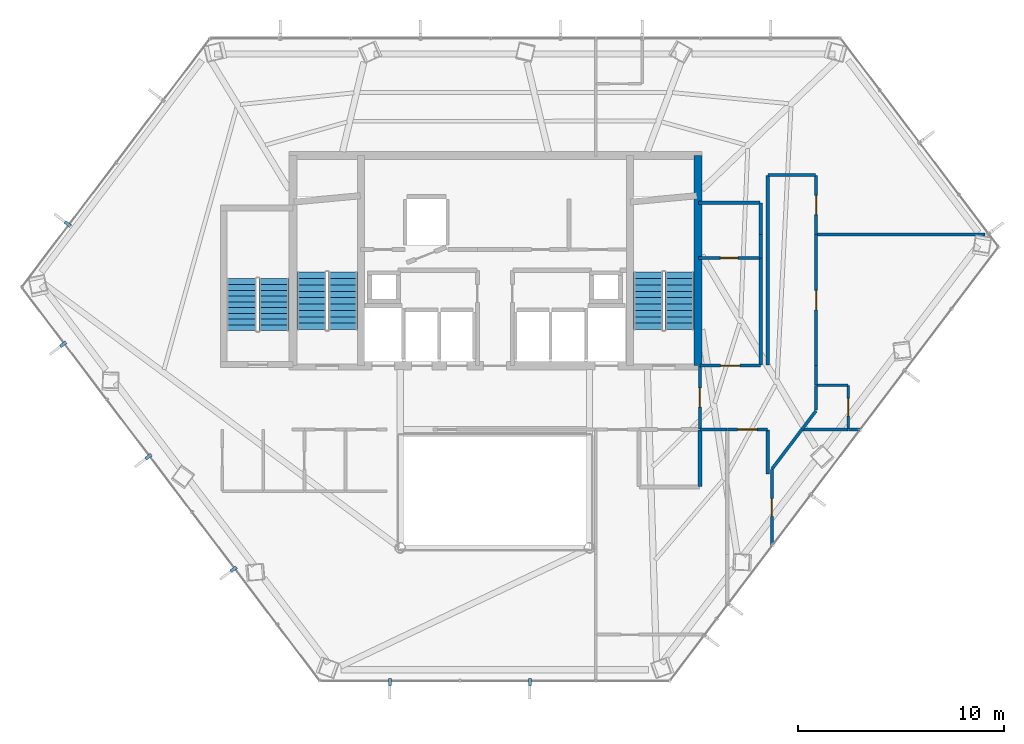
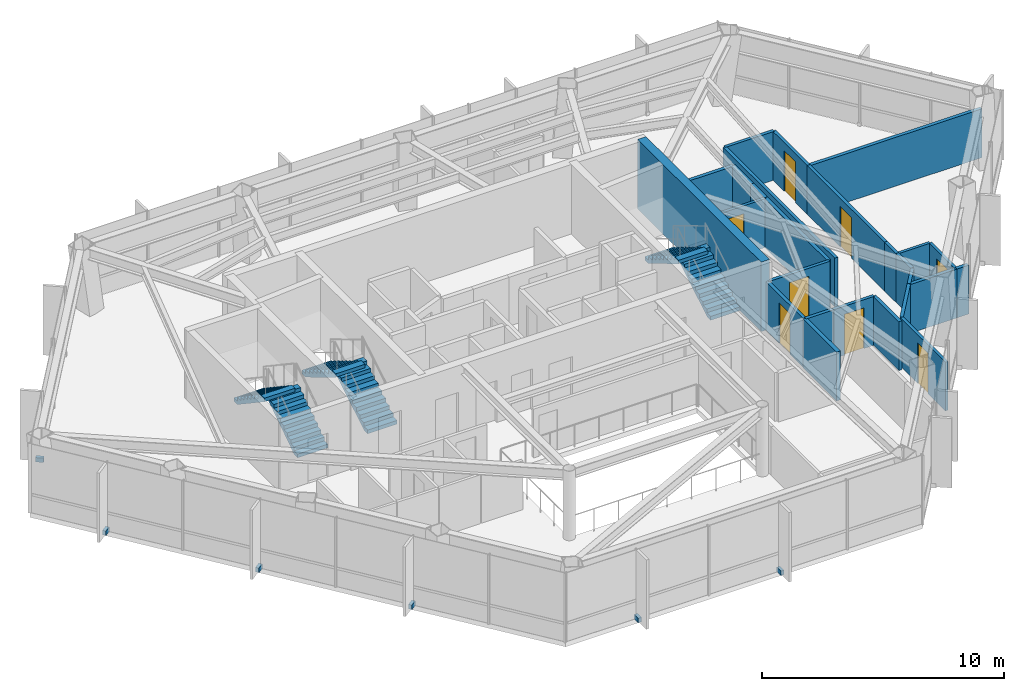
# One storey, part 27 of 29: 26 walls, 8 doors, 6 discrete accessories, 6 stair flights, 8 openings, 3 elements without a shape of their own.
"""IFC4 building model written with IfcOpenShell, lengths in metres."""

from ifc_helpers import new_model, si_unit, direction, frame, frame_2d, origin, origin_2d, place, context, subcontext, project, spatial, polyline, rectangle, outline, extrude, material, layer, layer_set, type_object, element, fill, aggregate, save


model = new_model("IFC4")

# Units and contexts
model_context = context("Model", 3, precision=1e-05, world=origin(), true_north=direction((0.0, 1.0)))
body_context = subcontext(model_context, "Body", "Model", "MODEL_VIEW")
ifc_project = project(units=[si_unit("LENGTHUNIT", "METRE"), si_unit("AREAUNIT", "SQUARE_METRE"), si_unit("VOLUMEUNIT", "CUBIC_METRE"), si_unit("PLANEANGLEUNIT", "RADIAN"), si_unit("MASSUNIT", "GRAM", prefix="KILO")], contexts=[model_context])

# Site, building, storey
site_placement = place(None, origin())
site = spatial("IfcSite", under=ifc_project, at=site_placement, CompositionType="ELEMENT")
building_placement = place(site_placement, origin())
building = spatial("IfcBuilding", under=site, at=building_placement, Name="Zarrinselat Tower", CompositionType="ELEMENT")
storey_placement = place(building_placement, frame((0.0, 0.0, 142.1201171875)))
storey = spatial("IfcBuildingStorey", under=building, at=storey_placement, Name="L34", CompositionType="ELEMENT", Elevation=142.1201171875)

# Walls
ifc_material_1 = material(Name="Fire-Rated Gypsum Board Partition", Category="gypsum")
ifc_layer_1 = layer(ifc_material_1, 0.1650390625)
ifc_layer_set_1 = layer_set([ifc_layer_1], Name="Fire-Rated Gypsum Board Partition")
wall_type_1 = type_object("IfcWallType", Name="WAL-PART-DEMISE", PredefinedType="PARTITIONING", material=ifc_layer_set_1)
wall_1_placement = place(storey_placement, frame((55.562255859375, 30.14990234375, 0.0), z_axis=(0.0, 0.0, 1.0), x_axis=(1.0, 0.0, 0.0)))
element("IfcWall", 1, at=wall_1_placement, inside=storey, type_object=wall_type_1, Name="L34 Partition Wall 51", PredefinedType="PARTITIONING", context=body_context, shape_type="SweptSolid", body=[
    extrude(rectangle(XDim=0.565185546875, YDim=0.1650390625, at=frame_2d((0.28271484375, 0.0))), origin(), (0.0, 0.0, 1.0), 2.456787109375),
])
wall_2_placement = place(storey_placement, frame((53.3271484375, 30.14990234375, 0.0), z_axis=(0.0, 0.0, 1.0), x_axis=(1.0, 0.0, 0.0)))
element("IfcWall", 2, at=wall_2_placement, inside=storey, type_object=wall_type_1, Name="L34 Partition Wall 52", PredefinedType="PARTITIONING", context=body_context, shape_type="SweptSolid", body=[
    extrude(rectangle(XDim=2.22509765625, YDim=0.1650390625, at=frame_2d((1.112548828125, 0.0))), origin(), (0.0, 0.0, 1.0), 2.456787109375),
])
wall_3_placement = place(storey_placement, frame((54.02001953125, 39.6201171875, 0.0), z_axis=(0.0, 0.0, 1.0), x_axis=(1.0, 0.0, 0.0)))
element("IfcWall", 3, at=wall_3_placement, inside=storey, type_object=wall_type_1, Name="L34 Partition Wall 55", PredefinedType="PARTITIONING", context=body_context, shape_type="SweptSolid", body=[
    extrude(rectangle(XDim=8.190673828125, YDim=0.1650390625, at=frame_2d((4.09521484375, 0.0))), origin(), (0.0, 0.0, 1.0), 2.456787109375),
])
wall_4_placement = place(storey_placement, frame((51.300048828125, 33.27001953125, 0.0), z_axis=(0.0, 0.0, 1.0), x_axis=(0.0, 1.0, 0.0)))
element("IfcWall", 4, at=wall_4_placement, inside=storey, type_object=wall_type_1, Name="L34 Partition Wall 58", PredefinedType="PARTITIONING", context=body_context, shape_type="SweptSolid", body=[
    extrude(rectangle(XDim=5.2021484375, YDim=0.1650390625, at=frame_2d((2.60107421875, 0.0))), origin(), (0.0, 0.0, 1.0), 2.456787109375),
])
wall_5_placement = place(storey_placement, frame((51.300048828125, 38.482177734375, 0.0), z_axis=(0.0, 0.0, 1.0), x_axis=(0.0, 1.0, 0.0)))
element("IfcWall", 5, at=wall_5_placement, inside=storey, type_object=wall_type_1, Name="L34 Partition Wall 59", PredefinedType="PARTITIONING", context=body_context, shape_type="SweptSolid", body=[
    extrude(rectangle(XDim=1.137939453125, YDim=0.1650390625, at=frame_2d((0.56884765625, 0.0))), origin(), (0.0, 0.0, 1.0), 2.456787109375),
])
wall_6_placement = place(storey_placement, frame((51.300048828125, 39.6201171875, 0.0), z_axis=(0.0, 0.0, 1.0), x_axis=(0.0, 1.0, 0.0)))
element("IfcWall", 6, at=wall_6_placement, inside=storey, type_object=wall_type_1, Name="L34 Partition Wall 60", PredefinedType="PARTITIONING", context=body_context, shape_type="SweptSolid", body=[
    extrude(rectangle(XDim=1.52978515625, YDim=0.1650390625, at=frame_2d((0.764892578125, 0.0))), origin(), (0.0, 0.0, 1.0), 2.456787109375),
])
wall_7_placement = place(storey_placement, frame((48.27490234375, 41.169921875, 0.0), z_axis=(0.0, 0.0, 1.0), x_axis=(1.0, 0.0, 0.0)))
element("IfcWall", 7, at=wall_7_placement, inside=storey, type_object=wall_type_1, Name="L34 Partition Wall 61", PredefinedType="PARTITIONING", context=body_context, shape_type="SweptSolid", body=[
    extrude(rectangle(XDim=3.005126953125, YDim=0.1650390625, at=frame_2d((1.50244140625, 0.0))), origin(), (0.0, 0.0, 1.0), 2.456787109375),
])
ifc_material_2 = material(Name="Concrete C40/50", Category="concrete")
ifc_layer_2 = layer(ifc_material_2, 0.18994140625)
ifc_layer_set_2 = layer_set([ifc_layer_2], Name="Concrete C40/50")
wall_type_2 = type_object("IfcWallType", Name="WAL-PART-EI120", PredefinedType="PARTITIONING", material=ifc_layer_set_2)
wall_8_placement = place(storey_placement, frame((48.35009765625, 27.3701171875, 0.0), z_axis=(0.0, 0.0, 1.0), x_axis=(0.0, 1.0, 0.0)))
element("IfcWall", 8, at=wall_8_placement, inside=storey, type_object=wall_type_2, Name="L34 Partition Wall 21", PredefinedType="PARTITIONING", context=body_context, shape_type="SweptSolid", body=[
    extrude(rectangle(XDim=2.759765625, YDim=0.18994140625, at=frame_2d((1.3798828125, 0.0))), origin(), (0.0, 0.0, 1.0), 2.456787109375),
])

# Wall, opening, door
ifc_material_3 = material(Name="Fire-Rated Gypsum Board Partition", Category="gypsum")
ifc_layer_3 = layer(ifc_material_3, 0.14990234375)
ifc_layer_set_3 = layer_set([ifc_layer_3], Name="Fire-Rated Gypsum Board Partition")
wall_type_3 = type_object("IfcWallType", Name="WAL-PART-EI60", PredefinedType="PARTITIONING", material=ifc_layer_set_3)
wall_9_placement = place(storey_placement, frame((48.35009765625, 30.169921875, 0.0), z_axis=(0.0, 0.0, 1.0), x_axis=(0.0, 1.0, 0.0)))
wall_9 = element("IfcWall", 9, at=wall_9_placement, inside=storey, type_object=wall_type_3, Name="L34 Partition Wall 13", PredefinedType="PARTITIONING", context=body_context, shape_type="SweptSolid", body=[
    extrude(rectangle(XDim=3.06005859375, YDim=0.14990234375, at=frame_2d((1.530029296875, 0.0))), origin(), (0.0, 0.0, 1.0), 2.456787109375),
])
opening_1_placement = place(wall_9_placement, frame((1.06005859375, 0.0, 0.0)))
opening_1 = element("IfcOpeningElement", 10, at=opening_1_placement, cuts=wall_9, Name="Opening ID-04", PredefinedType="OPENING", context=body_context, shape_type="SweptSolid", body=[
    extrude(rectangle(XDim=0.93994140625, YDim=2.050048828125, at=frame_2d((0.469970703125, 1.02490234375))), frame((0.0, 0.0849609375, 0.0), z_axis=(0.0, -1.0, 0.0), x_axis=(1.0, 0.0, 0.0)), (0.0, 0.0, 1.0), 0.169921875),
])
ifc_material_4 = material(Name="Fire-Rated Gypsum Board Partition")
door_type_1 = type_object("IfcDoorType", Name="DR-INT-FD30-ENT", OperationType="NOTDEFINED", PredefinedType="DOOR", material=ifc_material_4)
door_1_placement = place(opening_1_placement, origin())
door_1 = element("IfcDoor", 11, at=door_1_placement, inside=storey, type_object=door_type_1, Name="L34 Interior Door P13", OperationType="SINGLE_SWING_LEFT", OverallHeight=2.050048828125, OverallWidth=0.93994140625, PredefinedType="DOOR", context=body_context, shape_type="SweptSolid", body=[
    extrude(rectangle(XDim=0.93994140625, YDim=2.050048828125, at=frame_2d((0.469970703125, 1.02490234375))), frame((0.0, 0.02490234375, 0.0), z_axis=(0.0, -1.0, 0.0), x_axis=(1.0, 0.0, 0.0)), (0.0, 0.0, 1.0), 0.050048828125),
])
fill(opening_1, door_1)

# Walls
wall_10_placement = place(storey_placement, frame((48.3701171875, 30.14990234375, 0.0), z_axis=(0.0, 0.0, 1.0), x_axis=(1.0, 0.0, 0.0)))
element("IfcWall", 12, at=wall_10_placement, inside=storey, type_object=wall_type_3, Name="L34 Partition Wall 22", PredefinedType="PARTITIONING", context=body_context, shape_type="SweptSolid", body=[
    extrude(rectangle(XDim=1.30859375, YDim=0.14990234375, at=frame_2d((0.654296875, 0.0))), origin(), (0.0, 0.0, 1.0), 2.456787109375),
])
wall_11_placement = place(storey_placement, frame((51.64990234375, 27.982421875, 0.0), z_axis=(0.0, 0.0, 1.0), x_axis=(0.0, 1.0, 0.0)))
element("IfcWall", 13, at=wall_11_placement, inside=storey, type_object=wall_type_3, Name="L34 Partition Wall 23", PredefinedType="PARTITIONING", context=body_context, shape_type="SweptSolid", body=[
    extrude(rectangle(XDim=2.1474609375, YDim=0.14990234375, at=frame_2d((1.07373046875, 0.0))), origin(), (0.0, 0.0, 1.0), 2.456787109375),
])

# Wall, opening, door
wall_12_placement = place(storey_placement, frame((49.688720703125, 30.14990234375, 0.0), z_axis=(0.0, 0.0, 1.0), x_axis=(1.0, 0.0, 0.0)))
wall_12 = element("IfcWall", 14, at=wall_12_placement, inside=storey, type_object=wall_type_3, Name="L34 Partition Wall 24", PredefinedType="PARTITIONING", context=body_context, shape_type="SweptSolid", body=[
    extrude(rectangle(XDim=1.941162109375, YDim=0.14990234375, at=frame_2d((0.970703125, 0.0))), origin(), (0.0, 0.0, 1.0), 2.456787109375),
])
opening_2_placement = place(wall_12_placement, frame((0.500732421875, 0.0, 0.0)))
opening_2 = element("IfcOpeningElement", 15, at=opening_2_placement, cuts=wall_12, Name="Opening ID-04", PredefinedType="OPENING", context=body_context, shape_type="SweptSolid", body=[
    extrude(rectangle(XDim=0.93994140625, YDim=2.050048828125, at=frame_2d((0.469970703125, 1.02490234375))), frame((0.0, 0.0849609375, 0.0), z_axis=(0.0, -1.0, 0.0), x_axis=(1.0, 0.0, 0.0)), (0.0, 0.0, 1.0), 0.169921875),
])
door_2_placement = place(opening_2_placement, origin())
door_2 = element("IfcDoor", 16, at=door_2_placement, inside=storey, type_object=door_type_1, Name="L34 Interior Door P24", OperationType="SINGLE_SWING_RIGHT", OverallHeight=2.050048828125, OverallWidth=0.93994140625, PredefinedType="DOOR", context=body_context, shape_type="SweptSolid", body=[
    extrude(rectangle(XDim=0.93994140625, YDim=2.050048828125, at=frame_2d((0.469970703125, 1.02490234375))), frame((0.0, 0.02490234375, 0.0), z_axis=(0.0, -1.0, 0.0), x_axis=(1.0, 0.0, 0.0)), (0.0, 0.0, 1.0), 0.050048828125),
])
fill(opening_2, door_2)

# Wall
wall_13_placement = place(storey_placement, frame((51.85107421875, 28.227783203125, 0.0), z_axis=(0.0, 0.0, 1.0), x_axis=(0.60378553019, 0.797146808018, 0.0)))
element("IfcWall", 17, at=wall_13_placement, inside=storey, type_object=wall_type_3, Name="L34 Partition Wall 25", PredefinedType="PARTITIONING", context=body_context, shape_type="SweptSolid", body=[
    extrude(rectangle(XDim=2.410400390625, YDim=0.14990234375, at=frame_2d((1.205078125, 0.0))), origin(), (0.0, 0.0, 1.0), 2.456787109375),
])

# Wall, opening, door
wall_14_placement = place(storey_placement, frame((54.0, 33.25, 0.0), z_axis=(0.0, 0.0, 1.0), x_axis=(0.0, 1.0, 0.0)))
wall_14 = element("IfcWall", 18, at=wall_14_placement, inside=storey, type_object=wall_type_3, Name="L34 Partition Wall 26", PredefinedType="PARTITIONING", context=body_context, shape_type="SweptSolid", body=[
    extrude(rectangle(XDim=6.364990234375, YDim=0.14990234375, at=frame_2d((3.1826171875, 0.0))), origin(), (0.0, 0.0, 1.0), 2.456787109375),
])
opening_3_placement = place(wall_14_placement, frame((2.71240234375, 0.0, 0.0)))
opening_3 = element("IfcOpeningElement", 19, at=opening_3_placement, cuts=wall_14, Name="Opening ID-04", PredefinedType="OPENING", context=body_context, shape_type="SweptSolid", body=[
    extrude(rectangle(XDim=0.93994140625, YDim=2.050048828125, at=frame_2d((0.469970703125, 1.02490234375))), frame((0.0, 0.0849609375, 0.0), z_axis=(0.0, -1.0, 0.0), x_axis=(1.0, 0.0, 0.0)), (0.0, 0.0, 1.0), 0.169921875),
])
door_3_placement = place(opening_3_placement, origin())
door_3 = element("IfcDoor", 20, at=door_3_placement, inside=storey, type_object=door_type_1, Name="L34 Interior Door P26", OperationType="SINGLE_SWING_LEFT", OverallHeight=2.050048828125, OverallWidth=0.93994140625, PredefinedType="DOOR", context=body_context, shape_type="SweptSolid", body=[
    extrude(rectangle(XDim=0.93994140625, YDim=2.050048828125, at=frame_2d((0.469970703125, 1.02490234375))), frame((0.0, 0.02490234375, 0.0), z_axis=(0.0, -1.0, 0.0), x_axis=(1.0, 0.0, 0.0)), (0.0, 0.0, 1.0), 0.050048828125),
])
fill(opening_3, door_3)

# Walls
wall_15_placement = place(storey_placement, frame((54.0, 32.304931640625, 0.0), z_axis=(0.0, 0.0, 1.0), x_axis=(0.0, 1.0, 0.0)))
element("IfcWall", 21, at=wall_15_placement, inside=storey, type_object=wall_type_3, Name="L34 Partition Wall 27", PredefinedType="PARTITIONING", context=body_context, shape_type="SweptSolid", body=[
    extrude(rectangle(XDim=0.945068359375, YDim=0.14990234375, at=frame_2d((0.47265625, 0.0))), origin(), (0.0, 0.0, 1.0), 2.456787109375),
])
wall_16_placement = place(storey_placement, frame((54.0, 31.084716796875, 0.0), z_axis=(0.0, 0.0, 1.0), x_axis=(0.0, 1.0, 0.0)))
element("IfcWall", 22, at=wall_16_placement, inside=storey, type_object=wall_type_3, Name="L34 Partition Wall 28", PredefinedType="PARTITIONING", context=body_context, shape_type="SweptSolid", body=[
    extrude(rectangle(XDim=1.210205078125, YDim=0.14990234375, at=frame_2d((0.60498046875, 0.0))), origin(), (0.0, 0.0, 1.0), 2.456787109375),
])
wall_17_placement = place(storey_placement, frame((53.310302734375, 30.154052734375, 0.0), z_axis=(0.0, 0.0, 1.0), x_axis=(0.603752960425, 0.797171476395, 0.0)))
element("IfcWall", 23, at=wall_17_placement, inside=storey, type_object=wall_type_3, Name="L34 Partition Wall 29", PredefinedType="PARTITIONING", context=body_context, shape_type="SweptSolid", body=[
    extrude(rectangle(XDim=1.1220703125, YDim=0.14990234375, at=frame_2d((0.56103515625, 0.0))), origin(), (0.0, 0.0, 1.0), 2.456787109375),
])
wall_18_placement = place(storey_placement, frame((51.64990234375, 33.27001953125, 0.0), z_axis=(0.0, 0.0, 1.0), x_axis=(0.0, 1.0, 0.0)))
element("IfcWall", 24, at=wall_18_placement, inside=storey, type_object=wall_type_3, Name="L34 Partition Wall 30", PredefinedType="PARTITIONING", context=body_context, shape_type="SweptSolid", body=[
    extrude(rectangle(XDim=9.2099609375, YDim=0.14990234375, at=frame_2d((4.60498046875, 0.0))), origin(), (0.0, 0.0, 1.0), 2.456787109375),
])
wall_19_placement = place(storey_placement, frame((51.669921875, 42.5, 0.0), z_axis=(0.0, 0.0, 1.0), x_axis=(1.0, 0.0, 0.0)))
element("IfcWall", 25, at=wall_19_placement, inside=storey, type_object=wall_type_3, Name="L34 Partition Wall 31", PredefinedType="PARTITIONING", context=body_context, shape_type="SweptSolid", body=[
    extrude(rectangle(XDim=2.31005859375, YDim=0.14990234375, at=frame_2d((1.155029296875, 0.0))), origin(), (0.0, 0.0, 1.0), 2.456787109375),
])

# Wall, opening, door
wall_20_placement = place(storey_placement, frame((54.0, 39.625, 0.0), z_axis=(0.0, 0.0, 1.0), x_axis=(0.0, 1.0, 0.0)))
wall_20 = element("IfcWall", 26, at=wall_20_placement, inside=storey, type_object=wall_type_3, Name="L34 Partition Wall 32", PredefinedType="PARTITIONING", context=body_context, shape_type="SweptSolid", body=[
    extrude(rectangle(XDim=2.85498046875, YDim=0.14990234375, at=frame_2d((1.427490234375, 0.0))), origin(), (0.0, 0.0, 1.0), 2.456787109375),
])
opening_4_placement = place(wall_20_placement, frame((0.95751953125, 0.0, 0.0)))
opening_4 = element("IfcOpeningElement", 27, at=opening_4_placement, cuts=wall_20, Name="Opening ID-04", PredefinedType="OPENING", context=body_context, shape_type="SweptSolid", body=[
    extrude(rectangle(XDim=0.93994140625, YDim=2.050048828125, at=frame_2d((0.469970703125, 1.02490234375))), frame((0.0, 0.0849609375, 0.0), z_axis=(0.0, -1.0, 0.0), x_axis=(1.0, 0.0, 0.0)), (0.0, 0.0, 1.0), 0.169921875),
])
door_4_placement = place(opening_4_placement, origin())
door_4 = element("IfcDoor", 28, at=door_4_placement, inside=storey, type_object=door_type_1, Name="L34 Interior Door P32", OperationType="SINGLE_SWING_RIGHT", OverallHeight=2.050048828125, OverallWidth=0.93994140625, PredefinedType="DOOR", context=body_context, shape_type="SweptSolid", body=[
    extrude(rectangle(XDim=0.93994140625, YDim=2.050048828125, at=frame_2d((0.469970703125, 1.02490234375))), frame((0.0, 0.02490234375, 0.0), z_axis=(0.0, -1.0, 0.0), x_axis=(1.0, 0.0, 0.0)), (0.0, 0.0, 1.0), 0.050048828125),
])
fill(opening_4, door_4)

wall_21_placement = place(storey_placement, frame((48.364990234375, 33.25, 0.0), z_axis=(0.0, 0.0, 1.0), x_axis=(1.0, 0.0, 0.0)))
wall_21 = element("IfcWall", 29, at=wall_21_placement, inside=storey, type_object=wall_type_3, Name="L34 Partition Wall 33", PredefinedType="PARTITIONING", context=body_context, shape_type="SweptSolid", body=[
    extrude(rectangle(XDim=2.929931640625, YDim=0.14990234375, at=frame_2d((1.46484375, 0.0))), origin(), (0.0, 0.0, 1.0), 2.456787109375),
])
opening_5_placement = place(wall_21_placement, frame((0.9951171875, 0.0, 0.0)))
opening_5 = element("IfcOpeningElement", 30, at=opening_5_placement, cuts=wall_21, Name="Opening ID-04", PredefinedType="OPENING", context=body_context, shape_type="SweptSolid", body=[
    extrude(rectangle(XDim=0.93994140625, YDim=2.050048828125, at=frame_2d((0.469970703125, 1.02490234375))), frame((0.0, 0.0849609375, 0.0), z_axis=(0.0, -1.0, 0.0), x_axis=(1.0, 0.0, 0.0)), (0.0, 0.0, 1.0), 0.169921875),
])
door_5_placement = place(opening_5_placement, origin())
door_5 = element("IfcDoor", 31, at=door_5_placement, inside=storey, type_object=door_type_1, Name="L34 Interior Door P33", OperationType="SINGLE_SWING_LEFT", OverallHeight=2.050048828125, OverallWidth=0.93994140625, PredefinedType="DOOR", context=body_context, shape_type="SweptSolid", body=[
    extrude(rectangle(XDim=0.93994140625, YDim=2.050048828125, at=frame_2d((0.469970703125, 1.02490234375))), frame((0.0, 0.02490234375, 0.0), z_axis=(0.0, -1.0, 0.0), x_axis=(1.0, 0.0, 0.0)), (0.0, 0.0, 1.0), 0.050048828125),
])
fill(opening_5, door_5)

ifc_material_5 = material(Name="Fire-Rated Gypsum Board Partition", Category="gypsum")
ifc_layer_4 = layer(ifc_material_5, 0.135009765625)
ifc_layer_set_4 = layer_set([ifc_layer_4], Name="Fire-Rated Gypsum Board Partition")
wall_type_4 = type_object("IfcWallType", Name="WAL-PART-WET", PredefinedType="PARTITIONING", material=ifc_layer_set_4)
wall_22_placement = place(storey_placement, frame((51.85400390625, 24.504150390625, 0.0), z_axis=(0.0, 0.0, 1.0), x_axis=(0.0, 1.0, 0.0)))
wall_22 = element("IfcWall", 32, at=wall_22_placement, inside=storey, type_object=wall_type_4, Name="L34 Partition Wall 50", PredefinedType="PARTITIONING", context=body_context, shape_type="SweptSolid", body=[
    extrude(rectangle(XDim=3.707763671875, YDim=0.135009765625, at=frame_2d((1.85400390625, 0.0))), origin(), (0.0, 0.0, 1.0), 2.456787109375),
])
opening_6_placement = place(wall_22_placement, frame((1.423828125, 0.0, 0.0)))
opening_6 = element("IfcOpeningElement", 33, at=opening_6_placement, cuts=wall_22, Name="Opening ID-06", PredefinedType="OPENING", context=body_context, shape_type="SweptSolid", body=[
    extrude(rectangle(XDim=0.860107421875, YDim=2.050048828125, at=frame_2d((0.43017578125, 1.02490234375))), frame((0.0, 0.077392578125, 0.0), z_axis=(0.0, -1.0, 0.0), x_axis=(1.0, 0.0, 0.0)), (0.0, 0.0, 1.0), 0.155029296875),
])
ifc_material_6 = material(Name="Extruded Aluminium Alloy EN AW-6063 T6", Category="aluminium")
door_type_2 = type_object("IfcDoorType", Name="DR-INT-WET-900", OperationType="NOTDEFINED", PredefinedType="DOOR", material=ifc_material_6)
door_6_placement = place(opening_6_placement, origin())
door_6 = element("IfcDoor", 34, at=door_6_placement, inside=storey, type_object=door_type_2, Name="L34 Interior Door P50", OperationType="SINGLE_SWING_LEFT", OverallHeight=2.050048828125, OverallWidth=0.860107421875, PredefinedType="DOOR", context=body_context, shape_type="SweptSolid", body=[
    extrude(rectangle(XDim=0.860107421875, YDim=2.050048828125, at=frame_2d((0.43017578125, 1.02490234375))), frame((0.0, 0.02490234375, 0.0), z_axis=(0.0, -1.0, 0.0), x_axis=(1.0, 0.0, 0.0)), (0.0, 0.0, 1.0), 0.050048828125),
])
fill(opening_6, door_6)

wall_23_placement = place(storey_placement, frame((55.55712890625, 30.169921875, 0.0), z_axis=(0.0, 0.0, 1.0), x_axis=(0.0, 1.0, 0.0)))
wall_23 = element("IfcWall", 35, at=wall_23_placement, inside=storey, type_object=wall_type_4, Name="L34 Partition Wall 53", PredefinedType="PARTITIONING", context=body_context, shape_type="SweptSolid", body=[
    extrude(rectangle(XDim=2.110107421875, YDim=0.135009765625, at=frame_2d((1.05517578125, 0.0))), origin(), (0.0, 0.0, 1.0), 2.456787109375),
])
opening_7_placement = place(wall_23_placement, frame((0.625, 0.0, 0.0)))
opening_7 = element("IfcOpeningElement", 36, at=opening_7_placement, cuts=wall_23, Name="Opening ID-06", PredefinedType="OPENING", context=body_context, shape_type="SweptSolid", body=[
    extrude(rectangle(XDim=0.860107421875, YDim=2.050048828125, at=frame_2d((0.43017578125, 1.02490234375))), frame((0.0, 0.077392578125, 0.0), z_axis=(0.0, -1.0, 0.0), x_axis=(1.0, 0.0, 0.0)), (0.0, 0.0, 1.0), 0.155029296875),
])
door_7_placement = place(opening_7_placement, origin())
door_7 = element("IfcDoor", 37, at=door_7_placement, inside=storey, type_object=door_type_2, Name="L34 Interior Door P53", OperationType="SINGLE_SWING_RIGHT", OverallHeight=2.050048828125, OverallWidth=0.860107421875, PredefinedType="DOOR", context=body_context, shape_type="SweptSolid", body=[
    extrude(rectangle(XDim=0.860107421875, YDim=2.050048828125, at=frame_2d((0.43017578125, 1.02490234375))), frame((0.0, 0.02490234375, 0.0), z_axis=(0.0, -1.0, 0.0), x_axis=(1.0, 0.0, 0.0)), (0.0, 0.0, 1.0), 0.050048828125),
])
fill(opening_7, door_7)

# Wall
wall_24_placement = place(storey_placement, frame((54.02001953125, 32.300048828125, 0.0), z_axis=(0.0, 0.0, 1.0), x_axis=(1.0, 0.0, 0.0)))
element("IfcWall", 38, at=wall_24_placement, inside=storey, type_object=wall_type_4, Name="L34 Partition Wall 54", PredefinedType="PARTITIONING", context=body_context, shape_type="SweptSolid", body=[
    extrude(rectangle(XDim=1.51708984375, YDim=0.135009765625, at=frame_2d((0.758544921875, 0.0))), origin(), (0.0, 0.0, 1.0), 2.456787109375),
])

# Wall, opening, door
wall_25_placement = place(storey_placement, frame((48.27490234375, 38.477294921875, 0.0), z_axis=(0.0, 0.0, 1.0), x_axis=(1.0, 0.0, 0.0)))
wall_25 = element("IfcWall", 39, at=wall_25_placement, inside=storey, type_object=wall_type_4, Name="L34 Partition Wall 62", PredefinedType="PARTITIONING", context=body_context, shape_type="SweptSolid", body=[
    extrude(rectangle(XDim=3.005126953125, YDim=0.135009765625, at=frame_2d((1.50244140625, 0.0))), origin(), (0.0, 0.0, 1.0), 2.456787109375),
])
opening_8_placement = place(wall_25_placement, frame((1.072509765625, 0.0, 0.0)))
opening_8 = element("IfcOpeningElement", 40, at=opening_8_placement, cuts=wall_25, Name="Opening ID-06", PredefinedType="OPENING", context=body_context, shape_type="SweptSolid", body=[
    extrude(rectangle(XDim=0.860107421875, YDim=2.050048828125, at=frame_2d((0.43017578125, 1.02490234375))), frame((0.0, 0.077392578125, 0.0), z_axis=(0.0, -1.0, 0.0), x_axis=(1.0, 0.0, 0.0)), (0.0, 0.0, 1.0), 0.155029296875),
])
door_8_placement = place(opening_8_placement, origin())
door_8 = element("IfcDoor", 41, at=door_8_placement, inside=storey, type_object=door_type_2, Name="L34 Interior Door P62", OperationType="SINGLE_SWING_RIGHT", OverallHeight=2.050048828125, OverallWidth=0.860107421875, PredefinedType="DOOR", context=body_context, shape_type="SweptSolid", body=[
    extrude(rectangle(XDim=0.860107421875, YDim=2.050048828125, at=frame_2d((0.43017578125, 1.02490234375))), frame((0.0, 0.02490234375, 0.0), z_axis=(0.0, -1.0, 0.0), x_axis=(1.0, 0.0, 0.0)), (0.0, 0.0, 1.0), 0.050048828125),
])
fill(opening_8, door_8)

# Wall
ifc_material_7 = material(Name="Concrete C60/75", Category="concrete")
ifc_layer_5 = layer(ifc_material_7, 0.39990234375)
ifc_layer_set_5 = layer_set([ifc_layer_5], Name="Concrete C60/75")
wall_type_5 = type_object("IfcWallType", Name="WAL-SHEAR-400", PredefinedType="SHEAR", material=ifc_layer_set_5)
wall_26_placement = place(storey_placement, frame((48.260009765625, 33.25, 0.0), z_axis=(0.0, 0.0, 1.0), x_axis=(0.0, 1.0, 0.0)))
element("IfcWall", 42, at=wall_26_placement, inside=storey, type_object=wall_type_5, Name="L34 Core Shear Wall E", PredefinedType="SHEAR", context=body_context, shape_type="SweptSolid", body=[
    extrude(rectangle(XDim=10.199951171875, YDim=0.39990234375, at=frame_2d((5.10009765625, 0.0))), origin(), (0.0, 0.0, 1.0), 3.5),
])

# Stair, stair flights
ifc_material_8 = material(Name="Concrete C40/50", Category="concrete")
stair_type_1 = type_object("IfcStairType", Name="STR-CORE-145", PredefinedType="HALF_TURN_STAIR", material=ifc_material_8)
stair_1_placement = place(storey_placement, origin())
stair_1 = element("IfcStair", 43, at=stair_1_placement, inside=storey, type_object=stair_type_1, Name="L34 Podium & Mid-Tower Exit Stair 3", PredefinedType="HALF_TURN_STAIR")
ifc_material_9 = material(Name="Concrete C40/50", Category="concrete")
stair_flight_type_1 = type_object("IfcStairFlightType", Name="STR-FLT-145", PredefinedType="STRAIGHT", material=ifc_material_9)
stair_flight_1_placement = place(storey_placement, frame((27.675048828125, 34.949951171875, 0.0), z_axis=(0.0, 0.0, 1.0), x_axis=(0.0, 1.0, 0.0)))
stair_flight_1 = element("IfcStairFlight", 44, at=stair_flight_1_placement, type_object=stair_flight_type_1, Name="ST-3 flight 1", NumberOfRisers=10, NumberOfTreads=9, PredefinedType="STRAIGHT", RiserHeight=0.187, TreadLength=0.28, context=body_context, shape_type="SweptSolid", body=[
    extrude(outline(polyline([(0.0, 0.0), (0.0, 0.18701171875), (0.280029296875, 0.18701171875), (0.280029296875, 0.3740234375), (0.56005859375, 0.3740234375), (0.56005859375, 0.56103515625), (0.840087890625, 0.56103515625), (0.840087890625, 0.748046875), (1.1201171875, 0.748046875), (1.1201171875, 0.93505859375), (1.39990234375, 0.93505859375), (1.39990234375, 1.1220703125), (1.679931640625, 1.1220703125), (1.679931640625, 1.30908203125), (1.9599609375, 1.30908203125), (1.9599609375, 1.49609375), (2.239990234375, 1.49609375), (2.239990234375, 1.68310546875), (2.52001953125, 1.68310546875), (2.52001953125, 1.8701171875), (2.52001953125, 1.502685546875), (0.27001953125, 0.0), (0.0, 0.0)])), frame((0.0, 0.72509765625, 0.0), z_axis=(0.0, -1.0, 0.0), x_axis=(1.0, 0.0, 0.0)), (0.0, 0.0, 1.0), 1.449951171875),
])
stair_flight_2_placement = place(storey_placement, frame((26.10498046875, 37.469970703125, 1.869873046875), z_axis=(0.0, 0.0, 1.0), x_axis=(0.0, -1.0, 0.0)))
stair_flight_2 = element("IfcStairFlight", 45, at=stair_flight_2_placement, type_object=stair_flight_type_1, Name="ST-3 flight 2", NumberOfRisers=10, NumberOfTreads=9, PredefinedType="STRAIGHT", RiserHeight=0.187, TreadLength=0.28, context=body_context, shape_type="SweptSolid", body=[
    extrude(outline(polyline([(0.0, 0.0), (0.0, 0.18701171875), (0.280029296875, 0.18701171875), (0.280029296875, 0.3740234375), (0.56005859375, 0.3740234375), (0.56005859375, 0.56103515625), (0.840087890625, 0.56103515625), (0.840087890625, 0.748046875), (1.1201171875, 0.748046875), (1.1201171875, 0.93505859375), (1.39990234375, 0.93505859375), (1.39990234375, 1.1220703125), (1.679931640625, 1.1220703125), (1.679931640625, 1.30908203125), (1.9599609375, 1.30908203125), (1.9599609375, 1.49609375), (2.239990234375, 1.49609375), (2.239990234375, 1.68310546875), (2.52001953125, 1.68310546875), (2.52001953125, 1.8701171875), (2.52001953125, 1.502685546875), (0.27001953125, 0.0), (0.0, 0.0)])), frame((0.0, 0.72509765625, 0.0), z_axis=(0.0, -1.0, 0.0), x_axis=(1.0, 0.0, 0.0)), (0.0, 0.0, 1.0), 1.449951171875),
])
aggregate(stair_1, [stair_flight_1, stair_flight_2])

ifc_material_10 = material(Name="Concrete C40/50", Category="concrete")
stair_type_2 = type_object("IfcStairType", Name="STR-CORE-155", PredefinedType="HALF_TURN_STAIR", material=ifc_material_10)
stair_2_placement = place(storey_placement, origin())
stair_2 = element("IfcStair", 46, at=stair_2_placement, inside=storey, type_object=stair_type_2, Name="L34 Core Exit Stair 1", PredefinedType="HALF_TURN_STAIR")
ifc_material_11 = material(Name="Concrete C40/50", Category="concrete")
stair_flight_type_2 = type_object("IfcStairFlightType", Name="STR-FLT-155", PredefinedType="STRAIGHT", material=ifc_material_11)
stair_flight_3_placement = place(storey_placement, frame((31.02001953125, 35.0, 0.0), z_axis=(0.0, 0.0, 1.0), x_axis=(0.0, 1.0, 0.0)))
stair_flight_3 = element("IfcStairFlight", 47, at=stair_flight_3_placement, type_object=stair_flight_type_2, Name="ST-1 flight 1", NumberOfRisers=10, NumberOfTreads=9, PredefinedType="STRAIGHT", RiserHeight=0.187, TreadLength=0.31, context=body_context, shape_type="SweptSolid", body=[
    extrude(outline(polyline([(0.0, 0.0), (0.0, 0.18701171875), (0.31005859375, 0.18701171875), (0.31005859375, 0.3740234375), (0.6201171875, 0.3740234375), (0.6201171875, 0.56103515625), (0.929931640625, 0.56103515625), (0.929931640625, 0.748046875), (1.239990234375, 0.748046875), (1.239990234375, 0.93505859375), (1.550048828125, 0.93505859375), (1.550048828125, 1.1220703125), (1.860107421875, 1.1220703125), (1.860107421875, 1.30908203125), (2.169921875, 1.30908203125), (2.169921875, 1.49609375), (2.47998046875, 1.49609375), (2.47998046875, 1.68310546875), (2.7900390625, 1.68310546875), (2.7900390625, 1.8701171875), (2.7900390625, 1.508056640625), (0.290283203125, 0.0), (0.0, 0.0)])), frame((0.0, 0.699951171875, 0.0), z_axis=(0.0, -1.0, 0.0), x_axis=(1.0, 0.0, 0.0)), (0.0, 0.0, 1.0), 1.39990234375),
])
stair_flight_4_placement = place(storey_placement, frame((29.5, 37.7900390625, 1.869873046875), z_axis=(0.0, 0.0, 1.0), x_axis=(0.0, -1.0, 0.0)))
stair_flight_4 = element("IfcStairFlight", 48, at=stair_flight_4_placement, type_object=stair_flight_type_2, Name="ST-1 flight 2", NumberOfRisers=10, NumberOfTreads=9, PredefinedType="STRAIGHT", RiserHeight=0.187, TreadLength=0.31, context=body_context, shape_type="SweptSolid", body=[
    extrude(outline(polyline([(0.0, 0.0), (0.0, 0.18701171875), (0.31005859375, 0.18701171875), (0.31005859375, 0.3740234375), (0.6201171875, 0.3740234375), (0.6201171875, 0.56103515625), (0.929931640625, 0.56103515625), (0.929931640625, 0.748046875), (1.239990234375, 0.748046875), (1.239990234375, 0.93505859375), (1.550048828125, 0.93505859375), (1.550048828125, 1.1220703125), (1.860107421875, 1.1220703125), (1.860107421875, 1.30908203125), (2.169921875, 1.30908203125), (2.169921875, 1.49609375), (2.47998046875, 1.49609375), (2.47998046875, 1.68310546875), (2.7900390625, 1.68310546875), (2.7900390625, 1.8701171875), (2.7900390625, 1.508056640625), (0.290283203125, 0.0), (0.0, 0.0)])), frame((0.0, 0.699951171875, 0.0), z_axis=(0.0, -1.0, 0.0), x_axis=(1.0, 0.0, 0.0)), (0.0, 0.0, 1.0), 1.39990234375),
])
aggregate(stair_2, [stair_flight_3, stair_flight_4])

stair_3_placement = place(storey_placement, origin())
stair_3 = element("IfcStair", 49, at=stair_3_placement, inside=storey, type_object=stair_type_2, Name="L34 Core Exit Stair 2", PredefinedType="HALF_TURN_STAIR")
stair_flight_5_placement = place(storey_placement, frame((47.360107421875, 35.0, 0.0), z_axis=(0.0, 0.0, 1.0), x_axis=(0.0, 1.0, 0.0)))
stair_flight_5 = element("IfcStairFlight", 50, at=stair_flight_5_placement, type_object=stair_flight_type_2, Name="ST-2 flight 1", NumberOfRisers=10, NumberOfTreads=9, PredefinedType="STRAIGHT", RiserHeight=0.187, TreadLength=0.31, context=body_context, shape_type="SweptSolid", body=[
    extrude(outline(polyline([(0.0, 0.0), (0.0, 0.18701171875), (0.31005859375, 0.18701171875), (0.31005859375, 0.3740234375), (0.6201171875, 0.3740234375), (0.6201171875, 0.56103515625), (0.929931640625, 0.56103515625), (0.929931640625, 0.748046875), (1.239990234375, 0.748046875), (1.239990234375, 0.93505859375), (1.550048828125, 0.93505859375), (1.550048828125, 1.1220703125), (1.860107421875, 1.1220703125), (1.860107421875, 1.30908203125), (2.169921875, 1.30908203125), (2.169921875, 1.49609375), (2.47998046875, 1.49609375), (2.47998046875, 1.68310546875), (2.7900390625, 1.68310546875), (2.7900390625, 1.8701171875), (2.7900390625, 1.508056640625), (0.290283203125, 0.0), (0.0, 0.0)])), frame((0.0, 0.699951171875, 0.0), z_axis=(0.0, -1.0, 0.0), x_axis=(1.0, 0.0, 0.0)), (0.0, 0.0, 1.0), 1.39990234375),
])
stair_flight_6_placement = place(storey_placement, frame((45.840087890625, 37.7900390625, 1.869873046875), z_axis=(0.0, 0.0, 1.0), x_axis=(0.0, -1.0, 0.0)))
stair_flight_6 = element("IfcStairFlight", 51, at=stair_flight_6_placement, type_object=stair_flight_type_2, Name="ST-2 flight 2", NumberOfRisers=10, NumberOfTreads=9, PredefinedType="STRAIGHT", RiserHeight=0.187, TreadLength=0.31, context=body_context, shape_type="SweptSolid", body=[
    extrude(outline(polyline([(0.0, 0.0), (0.0, 0.18701171875), (0.31005859375, 0.18701171875), (0.31005859375, 0.3740234375), (0.6201171875, 0.3740234375), (0.6201171875, 0.56103515625), (0.929931640625, 0.56103515625), (0.929931640625, 0.748046875), (1.239990234375, 0.748046875), (1.239990234375, 0.93505859375), (1.550048828125, 0.93505859375), (1.550048828125, 1.1220703125), (1.860107421875, 1.1220703125), (1.860107421875, 1.30908203125), (2.169921875, 1.30908203125), (2.169921875, 1.49609375), (2.47998046875, 1.49609375), (2.47998046875, 1.68310546875), (2.7900390625, 1.68310546875), (2.7900390625, 1.8701171875), (2.7900390625, 1.508056640625), (0.290283203125, 0.0), (0.0, 0.0)])), frame((0.0, 0.699951171875, 0.0), z_axis=(0.0, -1.0, 0.0), x_axis=(1.0, 0.0, 0.0)), (0.0, 0.0, 1.0), 1.39990234375),
])
aggregate(stair_3, [stair_flight_5, stair_flight_6])

# Discrete accessories
ifc_material_12 = material(Name="Steel S355J2", Category="steel")
discrete_accessory_type = type_object("IfcDiscreteAccessoryType", Name="ACC-FIN-BRACKET", PredefinedType="BRACKET", material=ifc_material_12)
for number, where, z_axis, x_axis, name in (
    (52, (17.656494140625, 40.125, -0.05029296875), (0.0, 0.0, 1.0), (-0.797090994162, 0.603859211262, 0.0), "L34 Fin Fixing Bracket CW-L34-E02-03"),
    (53, (17.435302734375, 34.287353515625, -0.05029296875), (0.0, 0.0, 1.0), (-0.797093790407, -0.603855520216, 0.0), "L34 Fin Fixing Bracket CW-L34-E03-01"),
    (54, (21.57275390625, 28.826171875, -0.05029296875), (0.0, 0.0, 1.0), (-0.797093790407, -0.603855520216, 0.0), "L34 Fin Fixing Bracket CW-L34-E03-03"),
    (55, (25.7099609375, 23.36474609375, -0.05029296875), (0.0, 0.0, 1.0), (-0.797093790407, -0.603855520216, 0.0), "L34 Fin Fixing Bracket CW-L34-E03-05"),
    (56, (33.302001953125, 17.875732421875, -0.05029296875), (0.0, 0.0, 1.0), (0.0, -1.0, 0.0), "L34 Fin Fixing Bracket CW-L34-E04-01"),
    (57, (40.099365234375, 17.875732421875, -0.05029296875), (0.0, 0.0, 1.0), (0.0, -1.0, 0.0), "L34 Fin Fixing Bracket CW-L34-E04-03"),
):
    element("IfcDiscreteAccessory", number, at=place(storey_placement, frame(where, z_axis=z_axis, x_axis=x_axis)), inside=storey, type_object=discrete_accessory_type, Name=name, PredefinedType="BRACKET", context=body_context, shape_type="SweptSolid", body=[
        extrude(rectangle(XDim=0.340087890625, YDim=0.159912109375, at=origin_2d()), origin(), (0.0, 0.0, 1.0), 0.219970703125),
    ])

save(model, "model.ifc")
